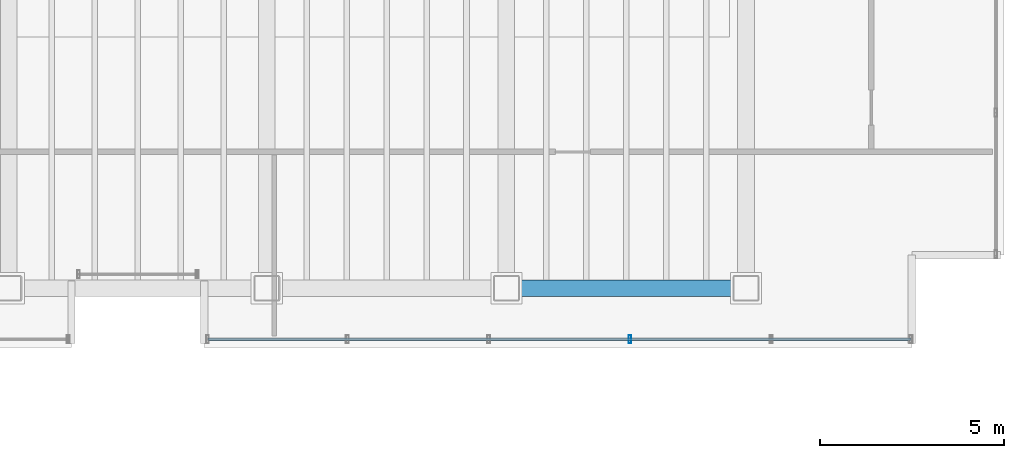
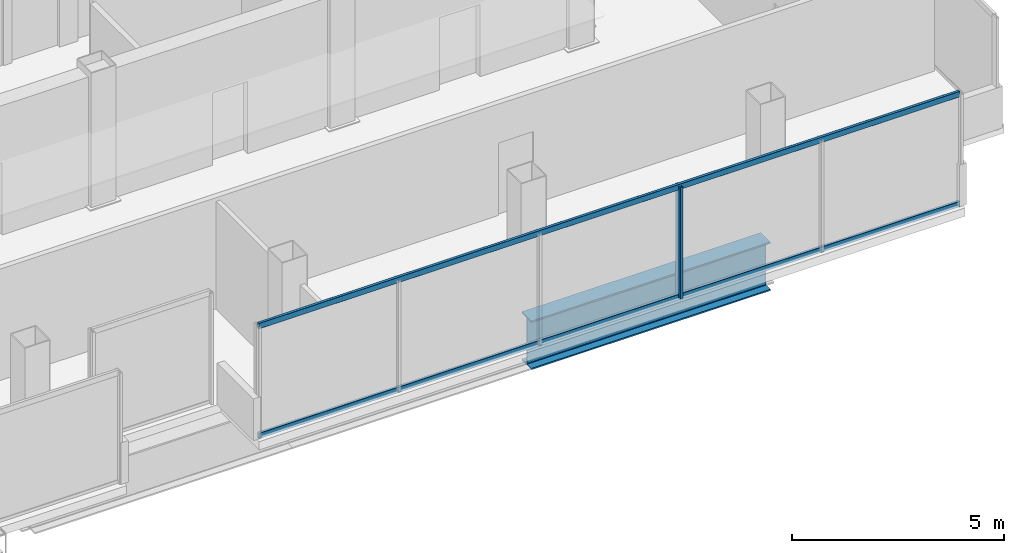
# One storey, part 7 of 17: 3 members, 1 beam, 1 element without a shape of its own.
"""IFC4 building model written with IfcOpenShell, lengths in metres."""

from ifc_helpers import new_model, si_unit, direction, frame, origin, origin_2d, place, context, subcontext, project, spatial, hollow_rectangle, i_section, extrude, material, material_profile, profile_set, type_object, element, aggregate, save


model = new_model("IFC4")

# Units and contexts
model_context = context("Model", 3, precision=1e-05, world=origin(), true_north=direction((0.0, 1.0)))
body_context = subcontext(model_context, "Body", "Model", "MODEL_VIEW")
ifc_project = project(units=[si_unit("LENGTHUNIT", "METRE"), si_unit("AREAUNIT", "SQUARE_METRE"), si_unit("VOLUMEUNIT", "CUBIC_METRE"), si_unit("PLANEANGLEUNIT", "RADIAN"), si_unit("MASSUNIT", "GRAM", prefix="KILO")], contexts=[model_context])

# Site, building, storey
site_placement = place(None, origin())
site = spatial("IfcSite", under=ifc_project, at=site_placement, CompositionType="ELEMENT")
building_placement = place(site_placement, origin())
building = spatial("IfcBuilding", under=site, at=building_placement, Name="Noeulbin Bourse Tower", CompositionType="ELEMENT")
storey_placement = place(building_placement, frame((0.0, 0.0, 281.300048828125)))
storey = spatial("IfcBuildingStorey", under=building, at=storey_placement, Name="L70", CompositionType="ELEMENT", Elevation=281.300048828125)

# Beam
ifc_material_1 = material(Name="Steel S460", Category="steel")
ifc_material_profile_1 = material_profile(ifc_material_1, i_section(OverallWidth=0.449951171875, OverallDepth=1.39990234375, WebThickness=0.02392578125, FlangeThickness=0.0400390625, FilletRadius=0.02392578125, at=origin_2d()), Name="PG-1400x450x24x40", Category="LoadBearing")
ifc_profile_set_1 = profile_set([ifc_material_profile_1], Name="Steel S460")
beam_type = type_object("IfcBeamType", Name="BM-TRF-1400", PredefinedType="USERDEFINED", material=ifc_profile_set_1)
beam_placement = place(storey_placement, frame((37.5, 20.0, -0.93994140625), z_axis=(1.0, 0.0, 0.0), x_axis=(0.0, 1.0, 0.0)))
element("IfcBeam", 1, at=beam_placement, inside=storey, type_object=beam_type, Name="Tower Primary Girder EW L70-1.3", ObjectType="GIRDER", PredefinedType="USERDEFINED", context=body_context, shape_type="SweptSolid", body=[
    extrude(i_section(OverallWidth=0.449951171875, OverallDepth=1.39990234375, WebThickness=0.02392578125, FlangeThickness=0.0400390625, FilletRadius=0.02392578125, at=origin_2d()), origin(), (0.0, 0.0, 1.0), 6.5),
])

# Curtain wall, members
ifc_material_2 = material(Name="High-Selectivity Low-Iron Glazing", Category="glass")
curtain_wall_type = type_object("IfcCurtainWallType", Name="CW-SYS-4", PredefinedType="NOTDEFINED", material=ifc_material_2)
curtain_wall_placement = place(storey_placement, origin())
curtain_wall = element("IfcCurtainWall", 2, at=curtain_wall_placement, inside=storey, type_object=curtain_wall_type, Name="Unitised Curtain Wall CW-L70-S3", PredefinedType="NOTDEFINED")
ifc_material_3 = material(Name="Anodised Aluminium 6063-T6", Category="aluminium")
ifc_material_profile_2 = material_profile(ifc_material_3, hollow_rectangle(XDim=0.074951171875, YDim=0.219970703125, WallThickness=0.0048828125, InnerFilletRadius=0.00244140625, OuterFilletRadius=0.0048828125, at=origin_2d()), Name="ALU-MULL-75x220x5", Category="LoadBearing")
ifc_profile_set_2 = profile_set([ifc_material_profile_2], Name="Anodised Aluminium 6063-T6")
member_type_1 = type_object("IfcMemberType", Name="CW-SYS-4-MUL", PredefinedType="MULLION", material=ifc_profile_set_2)
member_1_placement = place(storey_placement, frame((40.85205078125, 18.6201171875, -0.02001953125), z_axis=(0.0, 0.0, 1.0), x_axis=(1.0, 0.0, 0.0)))
member_1 = element("IfcMember", 3, at=member_1_placement, type_object=member_type_1, Name="Curtain Wall Mullion CW-L70-S3-M03", PredefinedType="MULLION", context=body_context, shape_type="SweptSolid", body=[
    extrude(hollow_rectangle(XDim=0.074951171875, YDim=0.219970703125, WallThickness=0.0048828125, InnerFilletRadius=0.00244140625, OuterFilletRadius=0.0048828125, at=origin_2d()), origin(), (0.0, 0.0, 1.0), 3.219970703125),
])
ifc_material_profile_3 = material_profile(ifc_material_3, hollow_rectangle(XDim=0.074951171875, YDim=0.159912109375, WallThickness=0.0048828125, InnerFilletRadius=0.00244140625, OuterFilletRadius=0.0048828125, at=origin_2d()), Name="ALU-TRAN-75x160x5", Category="LoadBearing")
ifc_profile_set_3 = profile_set([ifc_material_profile_3], Name="Anodised Aluminium 6063-T6")
member_type_2 = type_object("IfcMemberType", Name="CW-SYS-4-TRN", PredefinedType="USERDEFINED", material=ifc_profile_set_3)
member_2_placement = place(storey_placement, frame((29.39990234375, 18.6201171875, 0.010009765625), z_axis=(1.0, 0.0, 0.0), x_axis=(0.0, 1.0, 0.0)))
member_2 = element("IfcMember", 4, at=member_2_placement, type_object=member_type_2, Name="Curtain Wall Transom CW-L70-S3-T00", ObjectType="TRANSOM", PredefinedType="USERDEFINED", context=body_context, shape_type="SweptSolid", body=[
    extrude(hollow_rectangle(XDim=0.074951171875, YDim=0.159912109375, WallThickness=0.0048828125, InnerFilletRadius=0.00244140625, OuterFilletRadius=0.0048828125, at=origin_2d()), origin(), (0.0, 0.0, 1.0), 19.070068359375),
])
member_3_placement = place(storey_placement, frame((29.39990234375, 18.6201171875, 3.169921875), z_axis=(1.0, 0.0, 0.0), x_axis=(0.0, 1.0, 0.0)))
member_3 = element("IfcMember", 5, at=member_3_placement, type_object=member_type_2, Name="Curtain Wall Transom CW-L70-S3-T01", ObjectType="TRANSOM", PredefinedType="USERDEFINED", context=body_context, shape_type="SweptSolid", body=[
    extrude(hollow_rectangle(XDim=0.074951171875, YDim=0.159912109375, WallThickness=0.0048828125, InnerFilletRadius=0.00244140625, OuterFilletRadius=0.0048828125, at=origin_2d()), origin(), (0.0, 0.0, 1.0), 19.070068359375),
])
aggregate(curtain_wall, [member_1, member_2, member_3])

save(model, "model.ifc")
